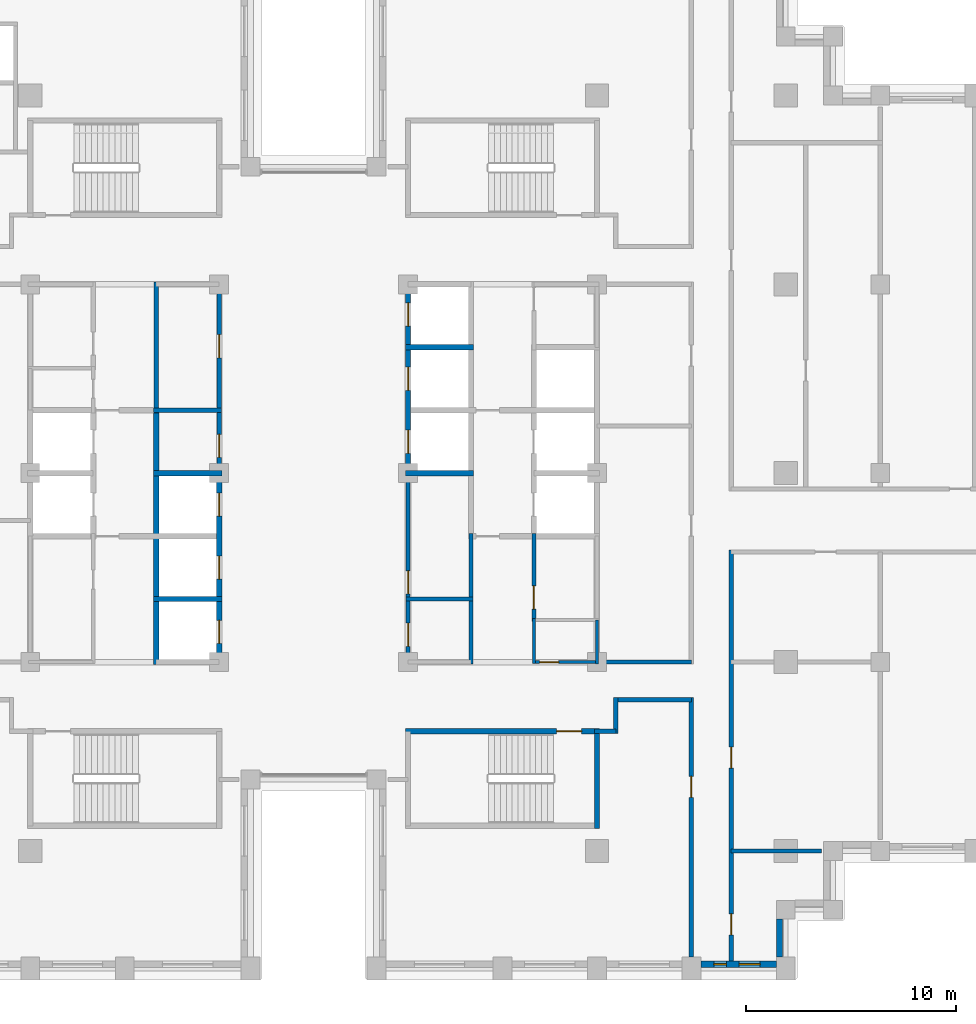
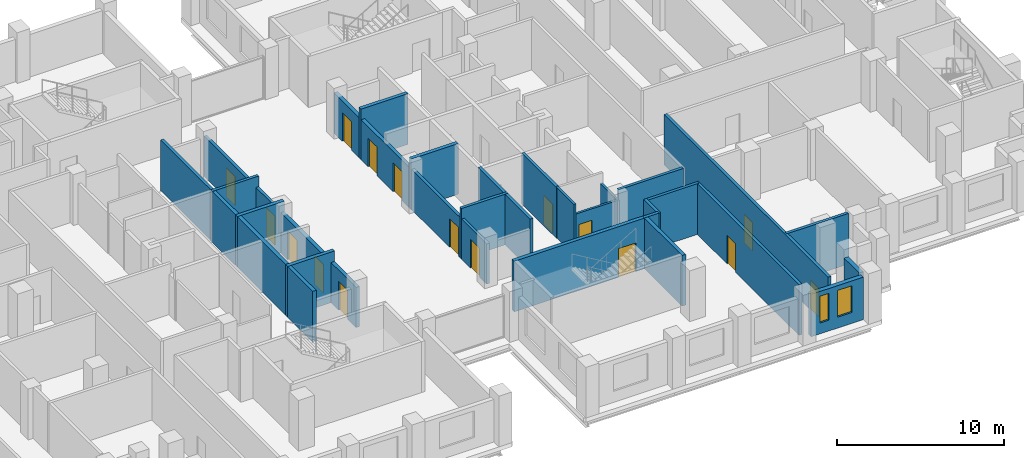
# One storey, part 8 of 16: 28 walls, 16 doors, 2 windows, 18 openings.
"""IFC4 building model written with IfcOpenShell, lengths in metres."""

from ifc_helpers import new_model, si_unit, direction, frame, frame_2d, origin, place, context, subcontext, project, spatial, rectangle, extrude, material, layer, layer_set, type_object, element, fill, save


model = new_model("IFC4")

# Units and contexts
model_context = context("Model", 3, precision=1e-05, world=origin(), true_north=direction((0.0, 1.0)))
body_context = subcontext(model_context, "Body", "Model", "MODEL_VIEW")
ifc_project = project(units=[si_unit("LENGTHUNIT", "METRE"), si_unit("AREAUNIT", "SQUARE_METRE"), si_unit("VOLUMEUNIT", "CUBIC_METRE"), si_unit("PLANEANGLEUNIT", "RADIAN"), si_unit("MASSUNIT", "GRAM", prefix="KILO")], contexts=[model_context])

# Site, building, storey
site_placement = place(None, origin())
site = spatial("IfcSite", under=ifc_project, at=site_placement, CompositionType="ELEMENT")
building_placement = place(site_placement, origin())
building = spatial("IfcBuilding", under=site, at=building_placement, Name="Corbelhall Arena Tower", CompositionType="ELEMENT")
storey_placement = place(building_placement, frame((0.0, 0.0, 154.0)))
storey = spatial("IfcBuildingStorey", under=building, at=storey_placement, Name="L30", CompositionType="ELEMENT", Elevation=154.0)

# Wall, openings, windows
ifc_material_1 = material(Name="Precast concrete C40/50 with granite facing", Category="masonry")
ifc_layer_1 = layer(ifc_material_1, 0.300048828125)
ifc_layer_set_1 = layer_set([ifc_layer_1], Name="EV-IW1 Infill panel 300")
wall_type_1 = type_object("IfcWallType", Name="EV-IW1 Infill panel 300", PredefinedType="SOLIDWALL", material=ifc_layer_set_1)
wall_1_placement = place(storey_placement, frame((18.449951171875, -23.39990234375, 0.0), z_axis=(0.0, 0.0, 1.0), x_axis=(1.0, 0.0, 0.0)))
wall_1 = element("IfcWall", 1, at=wall_1_placement, inside=storey, type_object=wall_type_1, Name="Infill panel IW1", PredefinedType="SOLIDWALL", context=body_context, shape_type="SweptSolid", body=[
    extrude(rectangle(XDim=3.60009765625, YDim=0.300048828125, at=frame_2d((1.800048828125, 0.0))), origin(), (0.0, 0.0, 1.0), 3.10009765625),
])
opening_1_placement = place(wall_1_placement, frame((0.625, 0.0, 0.800048828125)))
opening_1 = element("IfcOpeningElement", 2, at=opening_1_placement, cuts=wall_1, Name="Opening WN5", PredefinedType="OPENING", context=body_context, shape_type="SweptSolid", body=[
    extrude(rectangle(XDim=0.60009765625, YDim=1.949951171875, at=frame_2d((0.300048828125, 0.97509765625))), frame((0.0, 0.14990234375, 0.0), z_axis=(0.0, -1.0, 0.0), x_axis=(1.0, 0.0, 0.0)), (0.0, 0.0, 1.0), 0.300048828125),
])
opening_2_placement = place(wall_1_placement, frame((1.824951171875, 0.0, 0.800048828125)))
opening_2 = element("IfcOpeningElement", 3, at=opening_2_placement, cuts=wall_1, Name="Opening WN6", PredefinedType="OPENING", context=body_context, shape_type="SweptSolid", body=[
    extrude(rectangle(XDim=1.0, YDim=1.949951171875, at=frame_2d((0.5, 0.97509765625))), frame((0.0, 0.14990234375, 0.0), z_axis=(0.0, -1.0, 0.0), x_axis=(1.0, 0.0, 0.0)), (0.0, 0.0, 1.0), 0.300048828125),
])
ifc_material_2 = material(Name="Aluminium black anodised", Category="aluminium")
window_type_1 = type_object("IfcWindowType", Name="EV-WN5 Office window 600", PartitioningType="SINGLE_PANEL", PredefinedType="WINDOW", material=ifc_material_2)
window_1_placement = place(opening_1_placement, origin())
window_1 = element("IfcWindow", 4, at=window_1_placement, inside=storey, type_object=window_type_1, Name="Window WN5", OverallHeight=1.949951171875, OverallWidth=0.60009765625, PartitioningType="SINGLE_PANEL", PredefinedType="WINDOW", context=body_context, shape_type="SweptSolid", body=[
    extrude(rectangle(XDim=0.60009765625, YDim=1.949951171875, at=frame_2d((0.300048828125, 0.97509765625))), frame((0.0, 0.030029296875, 0.0), z_axis=(0.0, -1.0, 0.0), x_axis=(1.0, 0.0, 0.0)), (0.0, 0.0, 1.0), 0.06005859375),
])
fill(opening_1, window_1)
window_type_2 = type_object("IfcWindowType", Name="EV-WN6 Office window 1000", PartitioningType="SINGLE_PANEL", PredefinedType="WINDOW", material=ifc_material_2)
window_2_placement = place(opening_2_placement, origin())
window_2 = element("IfcWindow", 5, at=window_2_placement, inside=storey, type_object=window_type_2, Name="Window WN6", OverallHeight=1.949951171875, OverallWidth=1.0, PartitioningType="SINGLE_PANEL", PredefinedType="WINDOW", context=body_context, shape_type="SweptSolid", body=[
    extrude(rectangle(XDim=1.0, YDim=1.949951171875, at=frame_2d((0.5, 0.97509765625))), frame((0.0, 0.030029296875, 0.0), z_axis=(0.0, -1.0, 0.0), x_axis=(1.0, 0.0, 0.0)), (0.0, 0.0, 1.0), 0.06005859375),
])
fill(opening_2, window_2)

# Walls
wall_2_placement = place(storey_placement, frame((22.199951171875, -23.050048828125, 0.0), z_axis=(0.0, 0.0, 1.0), x_axis=(0.0, 1.0, 0.0)))
element("IfcWall", 6, at=wall_2_placement, inside=storey, type_object=wall_type_1, Name="Infill panel IW1", PredefinedType="SOLIDWALL", context=body_context, shape_type="SweptSolid", body=[
    extrude(rectangle(XDim=1.800048828125, YDim=0.300048828125, at=frame_2d((0.89990234375, 0.0))), origin(), (0.0, 0.0, 1.0), 3.10009765625),
])
ifc_material_3 = material(Name="Gypsum board on steel stud, acoustic", Category="steel")
ifc_layer_2 = layer(ifc_material_3, 0.199951171875)
ifc_layer_set_2 = layer_set([ifc_layer_2], Name="IN-W-DM200")
wall_type_2 = type_object("IfcWallType", Name="IN-W-DM200", PredefinedType="PARTITIONING", material=ifc_layer_set_2)
wall_3_placement = place(storey_placement, frame((13.5, -9.0, 0.0), z_axis=(0.0, 0.0, 1.0), x_axis=(1.0, 0.0, 0.0)))
element("IfcWall", 7, at=wall_3_placement, inside=storey, type_object=wall_type_2, Name="Partition 038", PredefinedType="PARTITIONING", context=body_context, shape_type="SweptSolid", body=[
    extrude(rectangle(XDim=4.5, YDim=0.199951171875, at=frame_2d((2.25, 0.0))), origin(), (0.0, 0.0, 1.0), 3.699951171875),
])
wall_4_placement = place(storey_placement, frame((14.39990234375, -12.300048828125, 0.0), z_axis=(0.0, 0.0, 1.0), x_axis=(-1.0, 0.0, 0.0)))
element("IfcWall", 8, at=wall_4_placement, inside=storey, type_object=wall_type_2, Name="Partition 040", PredefinedType="PARTITIONING", context=body_context, shape_type="SweptSolid", body=[
    extrude(rectangle(XDim=1.02490234375, YDim=0.199951171875, at=frame_2d((0.512451171875, 0.0))), origin(), (0.0, 0.0, 1.0), 3.699951171875),
])
wall_5_placement = place(storey_placement, frame((14.39990234375, -10.699951171875, 0.0), z_axis=(0.0, 0.0, 1.0), x_axis=(0.0, -1.0, 0.0)))
element("IfcWall", 9, at=wall_5_placement, inside=storey, type_object=wall_type_2, Name="Partition 041", PredefinedType="PARTITIONING", context=body_context, shape_type="SweptSolid", body=[
    extrude(rectangle(XDim=1.699951171875, YDim=0.199951171875, at=frame_2d((0.85009765625, 0.0))), origin(), (0.0, 0.0, 1.0), 3.699951171875),
])

# Wall, opening, door
wall_6_placement = place(storey_placement, frame((18.0, -23.050048828125, 0.0), z_axis=(0.0, 0.0, 1.0), x_axis=(0.0, 1.0, 0.0)))
wall_6 = element("IfcWall", 10, at=wall_6_placement, inside=storey, type_object=wall_type_2, Name="Partition 045", PredefinedType="PARTITIONING", context=body_context, shape_type="SweptSolid", body=[
    extrude(rectangle(XDim=12.35009765625, YDim=0.199951171875, at=frame_2d((6.175048828125, 0.0))), origin(), (0.0, 0.0, 1.0), 3.699951171875),
])
opening_3_placement = place(wall_6_placement, frame((7.60009765625, 0.0, 0.0)))
opening_3 = element("IfcOpeningElement", 11, at=opening_3_placement, cuts=wall_6, Name="Opening 08030", PredefinedType="OPENING", context=body_context, shape_type="SweptSolid", body=[
    extrude(rectangle(XDim=1.0, YDim=2.10009765625, at=frame_2d((0.5, 1.050048828125))), frame((0.0, 0.10009765625, 0.0), z_axis=(0.0, -1.0, 0.0), x_axis=(1.0, 0.0, 0.0)), (0.0, 0.0, 1.0), 0.199951171875),
])
ifc_material_4 = material(Name="Steel door set", Category="steel")
door_type_1 = type_object("IfcDoorType", Name="IN-D-SW100", OperationType="NOTDEFINED", PredefinedType="DOOR", material=ifc_material_4)
door_1_placement = place(opening_3_placement, origin())
door_1 = element("IfcDoor", 12, at=door_1_placement, inside=storey, type_object=door_type_1, Name="Door 030", OperationType="SINGLE_SWING_LEFT", OverallHeight=2.10009765625, OverallWidth=1.0, PredefinedType="DOOR", context=body_context, shape_type="SweptSolid", body=[
    extrude(rectangle(XDim=1.0, YDim=2.10009765625, at=frame_2d((0.5, 1.050048828125))), frame((0.0, 0.02490234375, 0.0), z_axis=(0.0, -1.0, 0.0), x_axis=(1.0, 0.0, 0.0)), (0.0, 0.0, 1.0), 0.050048828125),
])
fill(opening_3, door_1)

# Walls
wall_7_placement = place(storey_placement, frame((18.0, -10.800048828125, 0.0), z_axis=(0.0, 0.0, 1.0), x_axis=(-1.0, 0.0, 0.0)))
element("IfcWall", 13, at=wall_7_placement, inside=storey, type_object=wall_type_2, Name="Partition 046", PredefinedType="PARTITIONING", context=body_context, shape_type="SweptSolid", body=[
    extrude(rectangle(XDim=3.60009765625, YDim=0.199951171875, at=frame_2d((1.800048828125, 0.0))), origin(), (0.0, 0.0, 1.0), 3.699951171875),
])
wall_8_placement = place(storey_placement, frame((19.89990234375, -18.0, 0.0), z_axis=(0.0, 0.0, 1.0), x_axis=(1.0, 0.0, 0.0)))
element("IfcWall", 14, at=wall_8_placement, inside=storey, type_object=wall_type_2, Name="Partition 049", PredefinedType="PARTITIONING", context=body_context, shape_type="SweptSolid", body=[
    extrude(rectangle(XDim=4.300048828125, YDim=0.199951171875, at=frame_2d((2.14990234375, 0.0))), origin(), (0.0, 0.0, 1.0), 3.699951171875),
])

# Wall, openings, doors
wall_9_placement = place(storey_placement, frame((19.89990234375, -3.64990234375, 0.0), z_axis=(0.0, 0.0, 1.0), x_axis=(0.0, -1.0, 0.0)))
wall_9 = element("IfcWall", 15, at=wall_9_placement, inside=storey, type_object=wall_type_2, Name="Partition 050", PredefinedType="PARTITIONING", context=body_context, shape_type="SweptSolid", body=[
    extrude(rectangle(XDim=19.60009765625, YDim=0.199951171875, at=frame_2d((9.800048828125, 0.0))), origin(), (0.0, 0.0, 1.0), 3.699951171875),
])
opening_4_placement = place(wall_9_placement, frame((17.35009765625, 0.0, 0.0)))
opening_4 = element("IfcOpeningElement", 16, at=opening_4_placement, cuts=wall_9, Name="Opening 08039", PredefinedType="OPENING", context=body_context, shape_type="SweptSolid", body=[
    extrude(rectangle(XDim=1.0, YDim=2.10009765625, at=frame_2d((0.5, 1.050048828125))), frame((0.0, 0.10009765625, 0.0), z_axis=(0.0, -1.0, 0.0), x_axis=(1.0, 0.0, 0.0)), (0.0, 0.0, 1.0), 0.199951171875),
])
opening_5_placement = place(wall_9_placement, frame((9.39990234375, 0.0, 0.0)))
opening_5 = element("IfcOpeningElement", 17, at=opening_5_placement, cuts=wall_9, Name="Opening 08040", PredefinedType="OPENING", context=body_context, shape_type="SweptSolid", body=[
    extrude(rectangle(XDim=1.0, YDim=2.10009765625, at=frame_2d((0.5, 1.050048828125))), frame((0.0, 0.10009765625, 0.0), z_axis=(0.0, -1.0, 0.0), x_axis=(1.0, 0.0, 0.0)), (0.0, 0.0, 1.0), 0.199951171875),
])
door_2_placement = place(opening_4_placement, origin())
door_2 = element("IfcDoor", 18, at=door_2_placement, inside=storey, type_object=door_type_1, Name="Door 039", OperationType="SINGLE_SWING_RIGHT", OverallHeight=2.10009765625, OverallWidth=1.0, PredefinedType="DOOR", context=body_context, shape_type="SweptSolid", body=[
    extrude(rectangle(XDim=1.0, YDim=2.10009765625, at=frame_2d((0.5, 1.050048828125))), frame((0.0, 0.02490234375, 0.0), z_axis=(0.0, -1.0, 0.0), x_axis=(1.0, 0.0, 0.0)), (0.0, 0.0, 1.0), 0.050048828125),
])
fill(opening_4, door_2)
door_3_placement = place(opening_5_placement, origin())
door_3 = element("IfcDoor", 19, at=door_3_placement, inside=storey, type_object=door_type_1, Name="Door 040", OperationType="SINGLE_SWING_LEFT", OverallHeight=2.10009765625, OverallWidth=1.0, PredefinedType="DOOR", context=body_context, shape_type="SweptSolid", body=[
    extrude(rectangle(XDim=1.0, YDim=2.10009765625, at=frame_2d((0.5, 1.050048828125))), frame((0.0, 0.02490234375, 0.0), z_axis=(0.0, -1.0, 0.0), x_axis=(1.0, 0.0, 0.0)), (0.0, 0.0, 1.0), 0.050048828125),
])
fill(opening_5, door_3)

# Walls
ifc_material_5 = material(Name="Concrete block wall", Category="concrete")
ifc_layer_3 = layer(ifc_material_5, 0.199951171875)
ifc_layer_set_3 = layer_set([ifc_layer_3], Name="IN-W-RS200")
wall_type_3 = type_object("IfcWallType", Name="IN-W-RS200", PredefinedType="SOLIDWALL", material=ifc_layer_set_3)
wall_10_placement = place(storey_placement, frame((-7.625, 3.0, 0.0), z_axis=(0.0, 0.0, 1.0), x_axis=(1.0, 0.0, 0.0)))
element("IfcWall", 20, at=wall_10_placement, inside=storey, type_object=wall_type_3, Name="Partition 067", PredefinedType="SOLIDWALL", context=body_context, shape_type="SweptSolid", body=[
    extrude(rectangle(XDim=3.22509765625, YDim=0.199951171875, at=frame_2d((1.612548828125, 0.0))), origin(), (0.0, 0.0, 1.0), 3.699951171875),
])
wall_11_placement = place(storey_placement, frame((-7.5, 2.875, 0.0), z_axis=(0.0, 0.0, 1.0), x_axis=(0.0, 1.0, 0.0)))
element("IfcWall", 21, at=wall_11_placement, inside=storey, type_object=wall_type_3, Name="Partition 068", PredefinedType="SOLIDWALL", context=body_context, shape_type="SweptSolid", body=[
    extrude(rectangle(XDim=6.22509765625, YDim=0.199951171875, at=frame_2d((3.112548828125, 0.0))), origin(), (0.0, 0.0, 1.0), 3.699951171875),
])
wall_12_placement = place(storey_placement, frame((4.39990234375, -6.0, 0.0), z_axis=(0.0, 0.0, 1.0), x_axis=(1.0, 0.0, 0.0)))
element("IfcWall", 22, at=wall_12_placement, inside=storey, type_object=wall_type_3, Name="Partition 071", PredefinedType="SOLIDWALL", context=body_context, shape_type="SweptSolid", body=[
    extrude(rectangle(XDim=3.2001953125, YDim=0.199951171875, at=frame_2d((1.60009765625, 0.0))), origin(), (0.0, 0.0, 1.0), 3.699951171875),
])
wall_13_placement = place(storey_placement, frame((7.5, -2.875, 0.0), z_axis=(0.0, 0.0, 1.0), x_axis=(0.0, -1.0, 0.0)))
element("IfcWall", 23, at=wall_13_placement, inside=storey, type_object=wall_type_3, Name="Partition 074", PredefinedType="SOLIDWALL", context=body_context, shape_type="SweptSolid", body=[
    extrude(rectangle(XDim=6.22509765625, YDim=0.199951171875, at=frame_2d((3.112548828125, 0.0))), origin(), (0.0, 0.0, 1.0), 3.699951171875),
])

# Wall, opening, door
wall_14_placement = place(storey_placement, frame((10.5, -2.875, 0.0), z_axis=(0.0, 0.0, 1.0), x_axis=(0.0, -1.0, 0.0)))
wall_14 = element("IfcWall", 24, at=wall_14_placement, inside=storey, type_object=wall_type_3, Name="Partition 075", PredefinedType="SOLIDWALL", context=body_context, shape_type="SweptSolid", body=[
    extrude(rectangle(XDim=4.199951171875, YDim=0.199951171875, at=frame_2d((2.10009765625, 0.0))), origin(), (0.0, 0.0, 1.0), 3.699951171875),
])
opening_6_placement = place(wall_14_placement, frame((2.5, 0.0, 0.0)))
opening_6 = element("IfcOpeningElement", 25, at=opening_6_placement, cuts=wall_14, Name="Opening 08013", PredefinedType="OPENING", context=body_context, shape_type="SweptSolid", body=[
    extrude(rectangle(XDim=1.10009765625, YDim=2.10009765625, at=frame_2d((0.550048828125, 1.050048828125))), frame((0.0, 0.10009765625, 0.0), z_axis=(0.0, -1.0, 0.0), x_axis=(1.0, 0.0, 0.0)), (0.0, 0.0, 1.0), 0.199951171875),
])
door_type_2 = type_object("IfcDoorType", Name="IN-D-FD110", OperationType="NOTDEFINED", PredefinedType="DOOR", material=ifc_material_4)
door_4_placement = place(opening_6_placement, origin())
door_4 = element("IfcDoor", 26, at=door_4_placement, inside=storey, type_object=door_type_2, Name="Door 013", OperationType="SINGLE_SWING_RIGHT", OverallHeight=2.10009765625, OverallWidth=1.10009765625, PredefinedType="DOOR", context=body_context, shape_type="SweptSolid", body=[
    extrude(rectangle(XDim=1.10009765625, YDim=2.10009765625, at=frame_2d((0.550048828125, 1.050048828125))), frame((0.0, 0.02490234375, 0.0), z_axis=(0.0, -1.0, 0.0), x_axis=(1.0, 0.0, 0.0)), (0.0, 0.0, 1.0), 0.050048828125),
])
fill(opening_6, door_4)

# Wall, openings, doors
ifc_layer_4 = layer(ifc_material_5, 0.199951171875)
ifc_layer_set_4 = layer_set([ifc_layer_4], Name="IN-W-RS200 under beam 762 mm")
wall_type_4 = type_object("IfcWallType", Name="IN-W-RS200 under beam 762 mm", PredefinedType="SOLIDWALL", material=ifc_layer_set_4)
wall_15_placement = place(storey_placement, frame((-4.5, 9.10009765625, 0.0), z_axis=(0.0, 0.0, 1.0), x_axis=(0.0, -1.0, 0.0)))
wall_15 = element("IfcWall", 27, at=wall_15_placement, inside=storey, type_object=wall_type_4, Name="Partition 070", PredefinedType="SOLIDWALL", context=body_context, shape_type="SweptSolid", body=[
    extrude(rectangle(XDim=9.10009765625, YDim=0.199951171875, at=frame_2d((4.550048828125, 0.0))), origin(), (0.0, 0.0, 1.0), 2.93798828125),
])
opening_7_placement = place(wall_15_placement, frame((7.25, 0.0, 0.0)))
opening_7 = element("IfcOpeningElement", 28, at=opening_7_placement, cuts=wall_15, Name="Opening 08001", PredefinedType="OPENING", context=body_context, shape_type="SweptSolid", body=[
    extrude(rectangle(XDim=1.10009765625, YDim=2.10009765625, at=frame_2d((0.550048828125, 1.050048828125))), frame((0.0, 0.10009765625, 0.0), z_axis=(0.0, -1.0, 0.0), x_axis=(1.0, 0.0, 0.0)), (0.0, 0.0, 1.0), 0.199951171875),
])
opening_8_placement = place(wall_15_placement, frame((2.5, 0.0, 0.0)))
opening_8 = element("IfcOpeningElement", 29, at=opening_8_placement, cuts=wall_15, Name="Opening 08002", PredefinedType="OPENING", context=body_context, shape_type="SweptSolid", body=[
    extrude(rectangle(XDim=1.10009765625, YDim=2.10009765625, at=frame_2d((0.550048828125, 1.050048828125))), frame((0.0, 0.10009765625, 0.0), z_axis=(0.0, -1.0, 0.0), x_axis=(1.0, 0.0, 0.0)), (0.0, 0.0, 1.0), 0.199951171875),
])
door_5_placement = place(opening_7_placement, origin())
door_5 = element("IfcDoor", 30, at=door_5_placement, inside=storey, type_object=door_type_2, Name="Door 001", OperationType="SINGLE_SWING_RIGHT", OverallHeight=2.10009765625, OverallWidth=1.10009765625, PredefinedType="DOOR", context=body_context, shape_type="SweptSolid", body=[
    extrude(rectangle(XDim=1.10009765625, YDim=2.10009765625, at=frame_2d((0.550048828125, 1.050048828125))), frame((0.0, 0.02490234375, 0.0), z_axis=(0.0, -1.0, 0.0), x_axis=(1.0, 0.0, 0.0)), (0.0, 0.0, 1.0), 0.050048828125),
])
fill(opening_7, door_5)
door_6_placement = place(opening_8_placement, origin())
door_6 = element("IfcDoor", 31, at=door_6_placement, inside=storey, type_object=door_type_2, Name="Door 002", OperationType="SINGLE_SWING_LEFT", OverallHeight=2.10009765625, OverallWidth=1.10009765625, PredefinedType="DOOR", context=body_context, shape_type="SweptSolid", body=[
    extrude(rectangle(XDim=1.10009765625, YDim=2.10009765625, at=frame_2d((0.550048828125, 1.050048828125))), frame((0.0, 0.02490234375, 0.0), z_axis=(0.0, -1.0, 0.0), x_axis=(1.0, 0.0, 0.0)), (0.0, 0.0, 1.0), 0.050048828125),
])
fill(opening_8, door_6)

wall_16_placement = place(storey_placement, frame((4.5, -9.10009765625, 0.0), z_axis=(0.0, 0.0, 1.0), x_axis=(0.0, 1.0, 0.0)))
wall_16 = element("IfcWall", 32, at=wall_16_placement, inside=storey, type_object=wall_type_4, Name="Partition 072", PredefinedType="SOLIDWALL", context=body_context, shape_type="SweptSolid", body=[
    extrude(rectangle(XDim=9.10009765625, YDim=0.199951171875, at=frame_2d((4.550048828125, 0.0))), origin(), (0.0, 0.0, 1.0), 2.93798828125),
])
opening_9_placement = place(wall_16_placement, frame((0.85009765625, 0.0, 0.0)))
opening_9 = element("IfcOpeningElement", 33, at=opening_9_placement, cuts=wall_16, Name="Opening 08008", PredefinedType="OPENING", context=body_context, shape_type="SweptSolid", body=[
    extrude(rectangle(XDim=1.10009765625, YDim=2.10009765625, at=frame_2d((0.550048828125, 1.050048828125))), frame((0.0, 0.10009765625, 0.0), z_axis=(0.0, -1.0, 0.0), x_axis=(1.0, 0.0, 0.0)), (0.0, 0.0, 1.0), 0.199951171875),
])
opening_10_placement = place(wall_16_placement, frame((3.35009765625, 0.0, 0.0)))
opening_10 = element("IfcOpeningElement", 34, at=opening_10_placement, cuts=wall_16, Name="Opening 08009", PredefinedType="OPENING", context=body_context, shape_type="SweptSolid", body=[
    extrude(rectangle(XDim=1.10009765625, YDim=2.10009765625, at=frame_2d((0.550048828125, 1.050048828125))), frame((0.0, 0.10009765625, 0.0), z_axis=(0.0, -1.0, 0.0), x_axis=(1.0, 0.0, 0.0)), (0.0, 0.0, 1.0), 0.199951171875),
])
door_7_placement = place(opening_9_placement, origin())
door_7 = element("IfcDoor", 35, at=door_7_placement, inside=storey, type_object=door_type_2, Name="Door 008", OperationType="SINGLE_SWING_LEFT", OverallHeight=2.10009765625, OverallWidth=1.10009765625, PredefinedType="DOOR", context=body_context, shape_type="SweptSolid", body=[
    extrude(rectangle(XDim=1.10009765625, YDim=2.10009765625, at=frame_2d((0.550048828125, 1.050048828125))), frame((0.0, 0.02490234375, 0.0), z_axis=(0.0, -1.0, 0.0), x_axis=(1.0, 0.0, 0.0)), (0.0, 0.0, 1.0), 0.050048828125),
])
fill(opening_9, door_7)
door_8_placement = place(opening_10_placement, origin())
door_8 = element("IfcDoor", 36, at=door_8_placement, inside=storey, type_object=door_type_2, Name="Door 009", OperationType="SINGLE_SWING_RIGHT", OverallHeight=2.10009765625, OverallWidth=1.10009765625, PredefinedType="DOOR", context=body_context, shape_type="SweptSolid", body=[
    extrude(rectangle(XDim=1.10009765625, YDim=2.10009765625, at=frame_2d((0.550048828125, 1.050048828125))), frame((0.0, 0.02490234375, 0.0), z_axis=(0.0, -1.0, 0.0), x_axis=(1.0, 0.0, 0.0)), (0.0, 0.0, 1.0), 0.050048828125),
])
fill(opening_10, door_8)

# Walls
ifc_material_6 = material(Name="Concrete C40/50", Category="concrete")
ifc_layer_5 = layer(ifc_material_6, 0.25)
ifc_layer_set_5 = layer_set([ifc_layer_5], Name="IN-W-SH250")
wall_type_5 = type_object("IfcWallType", Name="IN-W-SH250", PredefinedType="SOLIDWALL", material=ifc_layer_set_5)
for number, where, z_axis, x_axis, name in (
    (37, (-7.625, -6.0, 0.0), (0.0, 0.0, 1.0), (1.0, 0.0, 0.0), "Shaft wall 085"),
    (38, (-7.625, 0.0, 0.0), (0.0, 0.0, 1.0), (1.0, 0.0, 0.0), "Shaft wall 086"),
):
    element("IfcWall", number, at=place(storey_placement, frame(where, z_axis=z_axis, x_axis=x_axis)), inside=storey, type_object=wall_type_5, Name=name, PredefinedType="SOLIDWALL", context=body_context, shape_type="SweptSolid", body=[
        extrude(rectangle(XDim=3.25, YDim=0.25, at=frame_2d((1.625, 0.0))), origin(), (0.0, 0.0, 1.0), 3.699951171875),
    ])
wall_17_placement = place(storey_placement, frame((-7.5, -9.125, 0.0), z_axis=(0.0, 0.0, 1.0), x_axis=(0.0, 1.0, 0.0)))
element("IfcWall", 39, at=wall_17_placement, inside=storey, type_object=wall_type_5, Name="Shaft wall 087", PredefinedType="SOLIDWALL", context=body_context, shape_type="SweptSolid", body=[
    extrude(rectangle(XDim=12.25, YDim=0.25, at=frame_2d((6.125, 0.0))), origin(), (0.0, 0.0, 1.0), 3.699951171875),
])
for number, where, z_axis, x_axis, name in (
    (40, (4.375, 0.0, 0.0), (0.0, 0.0, 1.0), (1.0, 0.0, 0.0), "Shaft wall 090"),
    (41, (4.375, 6.0, 0.0), (0.0, 0.0, 1.0), (1.0, 0.0, 0.0), "Shaft wall 092"),
):
    element("IfcWall", number, at=place(storey_placement, frame(where, z_axis=z_axis, x_axis=x_axis)), inside=storey, type_object=wall_type_5, Name=name, PredefinedType="SOLIDWALL", context=body_context, shape_type="SweptSolid", body=[
        extrude(rectangle(XDim=3.25, YDim=0.25, at=frame_2d((1.625, 0.0))), origin(), (0.0, 0.0, 1.0), 3.699951171875),
    ])

# Wall, openings, doors
ifc_layer_6 = layer(ifc_material_6, 0.25)
ifc_layer_set_6 = layer_set([ifc_layer_6], Name="IN-W-SH250 under beam 762 mm")
wall_type_6 = type_object("IfcWallType", Name="IN-W-SH250 under beam 762 mm", PredefinedType="SOLIDWALL", material=ifc_layer_set_6)
wall_18_placement = place(storey_placement, frame((-4.5, 0.0, 0.0), z_axis=(0.0, 0.0, 1.0), x_axis=(0.0, -1.0, 0.0)))
wall_18 = element("IfcWall", 42, at=wall_18_placement, inside=storey, type_object=wall_type_6, Name="Shaft wall 089", PredefinedType="SOLIDWALL", context=body_context, shape_type="SweptSolid", body=[
    extrude(rectangle(XDim=9.125, YDim=0.25, at=frame_2d((4.5625, 0.0))), origin(), (0.0, 0.0, 1.0), 2.93798828125),
])
opening_11_placement = place(wall_18_placement, frame((7.012451171875, 0.0, 0.0)))
opening_11 = element("IfcOpeningElement", 43, at=opening_11_placement, cuts=wall_18, Name="Opening LD", PredefinedType="OPENING", context=body_context, shape_type="SweptSolid", body=[
    extrude(rectangle(XDim=1.10009765625, YDim=2.10009765625, at=frame_2d((0.550048828125, 1.050048828125))), frame((0.0, 0.125, 0.0), z_axis=(0.0, -1.0, 0.0), x_axis=(1.0, 0.0, 0.0)), (0.0, 0.0, 1.0), 0.25),
])
opening_12_placement = place(wall_18_placement, frame((3.949951171875, 0.0, 0.0)))
opening_12 = element("IfcOpeningElement", 44, at=opening_12_placement, cuts=wall_18, Name="Opening LD", PredefinedType="OPENING", context=body_context, shape_type="SweptSolid", body=[
    extrude(rectangle(XDim=1.10009765625, YDim=2.10009765625, at=frame_2d((0.550048828125, 1.050048828125))), frame((0.0, 0.125, 0.0), z_axis=(0.0, -1.0, 0.0), x_axis=(1.0, 0.0, 0.0)), (0.0, 0.0, 1.0), 0.25),
])
opening_13_placement = place(wall_18_placement, frame((0.949951171875, 0.0, 0.0)))
opening_13 = element("IfcOpeningElement", 45, at=opening_13_placement, cuts=wall_18, Name="Opening LD", PredefinedType="OPENING", context=body_context, shape_type="SweptSolid", body=[
    extrude(rectangle(XDim=1.10009765625, YDim=2.10009765625, at=frame_2d((0.550048828125, 1.050048828125))), frame((0.0, 0.125, 0.0), z_axis=(0.0, -1.0, 0.0), x_axis=(1.0, 0.0, 0.0)), (0.0, 0.0, 1.0), 0.25),
])
door_type_3 = type_object("IfcDoorType", Name="IN-D-LD110", OperationType="NOTDEFINED", PredefinedType="DOOR", material=ifc_material_4)
door_9_placement = place(opening_11_placement, origin())
door_9 = element("IfcDoor", 46, at=door_9_placement, inside=storey, type_object=door_type_3, Name="Landing door W1", OperationType="SLIDING_TO_LEFT", OverallHeight=2.10009765625, OverallWidth=1.10009765625, PredefinedType="DOOR", context=body_context, shape_type="SweptSolid", body=[
    extrude(rectangle(XDim=1.10009765625, YDim=2.10009765625, at=frame_2d((0.550048828125, 1.050048828125))), frame((0.0, 0.02490234375, 0.0), z_axis=(0.0, -1.0, 0.0), x_axis=(1.0, 0.0, 0.0)), (0.0, 0.0, 1.0), 0.050048828125),
])
fill(opening_11, door_9)
door_10_placement = place(opening_12_placement, origin())
door_10 = element("IfcDoor", 47, at=door_10_placement, inside=storey, type_object=door_type_3, Name="Landing door W2", OperationType="SLIDING_TO_LEFT", OverallHeight=2.10009765625, OverallWidth=1.10009765625, PredefinedType="DOOR", context=body_context, shape_type="SweptSolid", body=[
    extrude(rectangle(XDim=1.10009765625, YDim=2.10009765625, at=frame_2d((0.550048828125, 1.050048828125))), frame((0.0, 0.02490234375, 0.0), z_axis=(0.0, -1.0, 0.0), x_axis=(1.0, 0.0, 0.0)), (0.0, 0.0, 1.0), 0.050048828125),
])
fill(opening_12, door_10)
door_11_placement = place(opening_13_placement, origin())
door_11 = element("IfcDoor", 48, at=door_11_placement, inside=storey, type_object=door_type_3, Name="Landing door W3", OperationType="SLIDING_TO_LEFT", OverallHeight=2.10009765625, OverallWidth=1.10009765625, PredefinedType="DOOR", context=body_context, shape_type="SweptSolid", body=[
    extrude(rectangle(XDim=1.10009765625, YDim=2.10009765625, at=frame_2d((0.550048828125, 1.050048828125))), frame((0.0, 0.02490234375, 0.0), z_axis=(0.0, -1.0, 0.0), x_axis=(1.0, 0.0, 0.0)), (0.0, 0.0, 1.0), 0.050048828125),
])
fill(opening_13, door_11)

wall_19_placement = place(storey_placement, frame((4.5, 0.0, 0.0), z_axis=(0.0, 0.0, 1.0), x_axis=(0.0, 1.0, 0.0)))
wall_19 = element("IfcWall", 49, at=wall_19_placement, inside=storey, type_object=wall_type_6, Name="Shaft wall 093", PredefinedType="SOLIDWALL", context=body_context, shape_type="SweptSolid", body=[
    extrude(rectangle(XDim=9.125, YDim=0.25, at=frame_2d((4.5625, 0.0))), origin(), (0.0, 0.0, 1.0), 2.93798828125),
])
opening_14_placement = place(wall_19_placement, frame((0.949951171875, 0.0, 0.0)))
opening_14 = element("IfcOpeningElement", 50, at=opening_14_placement, cuts=wall_19, Name="Opening LD", PredefinedType="OPENING", context=body_context, shape_type="SweptSolid", body=[
    extrude(rectangle(XDim=1.10009765625, YDim=2.10009765625, at=frame_2d((0.550048828125, 1.050048828125))), frame((0.0, 0.125, 0.0), z_axis=(0.0, -1.0, 0.0), x_axis=(1.0, 0.0, 0.0)), (0.0, 0.0, 1.0), 0.25),
])
opening_15_placement = place(wall_19_placement, frame((3.949951171875, 0.0, 0.0)))
opening_15 = element("IfcOpeningElement", 51, at=opening_15_placement, cuts=wall_19, Name="Opening LD", PredefinedType="OPENING", context=body_context, shape_type="SweptSolid", body=[
    extrude(rectangle(XDim=1.10009765625, YDim=2.10009765625, at=frame_2d((0.550048828125, 1.050048828125))), frame((0.0, 0.125, 0.0), z_axis=(0.0, -1.0, 0.0), x_axis=(1.0, 0.0, 0.0)), (0.0, 0.0, 1.0), 0.25),
])
opening_16_placement = place(wall_19_placement, frame((7.012451171875, 0.0, 0.0)))
opening_16 = element("IfcOpeningElement", 52, at=opening_16_placement, cuts=wall_19, Name="Opening LD", PredefinedType="OPENING", context=body_context, shape_type="SweptSolid", body=[
    extrude(rectangle(XDim=1.10009765625, YDim=2.10009765625, at=frame_2d((0.550048828125, 1.050048828125))), frame((0.0, 0.125, 0.0), z_axis=(0.0, -1.0, 0.0), x_axis=(1.0, 0.0, 0.0)), (0.0, 0.0, 1.0), 0.25),
])
door_12_placement = place(opening_14_placement, origin())
door_12 = element("IfcDoor", 53, at=door_12_placement, inside=storey, type_object=door_type_3, Name="Landing door E4", OperationType="SLIDING_TO_LEFT", OverallHeight=2.10009765625, OverallWidth=1.10009765625, PredefinedType="DOOR", context=body_context, shape_type="SweptSolid", body=[
    extrude(rectangle(XDim=1.10009765625, YDim=2.10009765625, at=frame_2d((0.550048828125, 1.050048828125))), frame((0.0, 0.02490234375, 0.0), z_axis=(0.0, -1.0, 0.0), x_axis=(1.0, 0.0, 0.0)), (0.0, 0.0, 1.0), 0.050048828125),
])
fill(opening_14, door_12)
door_13_placement = place(opening_15_placement, origin())
door_13 = element("IfcDoor", 54, at=door_13_placement, inside=storey, type_object=door_type_3, Name="Landing door E5", OperationType="SLIDING_TO_LEFT", OverallHeight=2.10009765625, OverallWidth=1.10009765625, PredefinedType="DOOR", context=body_context, shape_type="SweptSolid", body=[
    extrude(rectangle(XDim=1.10009765625, YDim=2.10009765625, at=frame_2d((0.550048828125, 1.050048828125))), frame((0.0, 0.02490234375, 0.0), z_axis=(0.0, -1.0, 0.0), x_axis=(1.0, 0.0, 0.0)), (0.0, 0.0, 1.0), 0.050048828125),
])
fill(opening_15, door_13)
door_14_placement = place(opening_16_placement, origin())
door_14 = element("IfcDoor", 55, at=door_14_placement, inside=storey, type_object=door_type_3, Name="Landing door E6", OperationType="SLIDING_TO_LEFT", OverallHeight=2.10009765625, OverallWidth=1.10009765625, PredefinedType="DOOR", context=body_context, shape_type="SweptSolid", body=[
    extrude(rectangle(XDim=1.10009765625, YDim=2.10009765625, at=frame_2d((0.550048828125, 1.050048828125))), frame((0.0, 0.02490234375, 0.0), z_axis=(0.0, -1.0, 0.0), x_axis=(1.0, 0.0, 0.0)), (0.0, 0.0, 1.0), 0.050048828125),
])
fill(opening_16, door_14)

# Wall
ifc_layer_7 = layer(ifc_material_6, 0.25)
ifc_layer_set_7 = layer_set([ifc_layer_7], Name="IN-W-ST250")
wall_type_7 = type_object("IfcWallType", Name="IN-W-ST250", PredefinedType="SOLIDWALL", material=ifc_layer_set_7)
wall_20_placement = place(storey_placement, frame((13.5, -12.300048828125, 0.0), z_axis=(0.0, 0.0, 1.0), x_axis=(0.0, -1.0, 0.0)))
element("IfcWall", 56, at=wall_20_placement, inside=storey, type_object=wall_type_7, Name="Shaft wall 120", PredefinedType="SOLIDWALL", context=body_context, shape_type="SweptSolid", body=[
    extrude(rectangle(XDim=4.625, YDim=0.25, at=frame_2d((2.3125, 0.0))), origin(), (0.0, 0.0, 1.0), 3.699951171875),
])

# Wall, opening, door
wall_21_placement = place(storey_placement, frame((13.625, -12.300048828125, 0.0), z_axis=(0.0, 0.0, 1.0), x_axis=(-1.0, 0.0, 0.0)))
wall_21 = element("IfcWall", 57, at=wall_21_placement, inside=storey, type_object=wall_type_7, Name="Shaft wall 122", PredefinedType="SOLIDWALL", context=body_context, shape_type="SweptSolid", body=[
    extrude(rectangle(XDim=9.25, YDim=0.25, at=frame_2d((4.625, 0.0))), origin(), (0.0, 0.0, 1.0), 3.699951171875),
])
opening_17_placement = place(wall_21_placement, frame((0.85009765625, 0.0, 0.0)))
opening_17 = element("IfcOpeningElement", 58, at=opening_17_placement, cuts=wall_21, Name="Opening 08018", PredefinedType="OPENING", context=body_context, shape_type="SweptSolid", body=[
    extrude(rectangle(XDim=1.199951171875, YDim=2.10009765625, at=frame_2d((0.60009765625, 1.050048828125))), frame((0.0, 0.125, 0.0), z_axis=(0.0, -1.0, 0.0), x_axis=(1.0, 0.0, 0.0)), (0.0, 0.0, 1.0), 0.25),
])
door_type_4 = type_object("IfcDoorType", Name="IN-D-ST120", OperationType="NOTDEFINED", PredefinedType="DOOR", material=ifc_material_4)
door_15_placement = place(opening_17_placement, origin())
door_15 = element("IfcDoor", 59, at=door_15_placement, inside=storey, type_object=door_type_4, Name="Door 018", OperationType="SINGLE_SWING_LEFT", OverallHeight=2.10009765625, OverallWidth=1.199951171875, PredefinedType="DOOR", context=body_context, shape_type="SweptSolid", body=[
    extrude(rectangle(XDim=1.199951171875, YDim=2.10009765625, at=frame_2d((0.60009765625, 1.050048828125))), frame((0.0, 0.02490234375, 0.0), z_axis=(0.0, -1.0, 0.0), x_axis=(1.0, 0.0, 0.0)), (0.0, 0.0, 1.0), 0.050048828125),
])
fill(opening_17, door_15)

# Walls
ifc_material_7 = material(Name="Gypsum board on steel stud, moisture resistant", Category="steel")
ifc_layer_8 = layer(ifc_material_7, 0.14990234375)
ifc_layer_set_8 = layer_set([ifc_layer_8], Name="IN-W-WC150")
wall_type_8 = type_object("IfcWallType", Name="IN-W-WC150", PredefinedType="PARTITIONING", material=ifc_layer_set_8)
wall_22_placement = place(storey_placement, frame((10.5, -6.925048828125, 0.0), z_axis=(0.0, 0.0, 1.0), x_axis=(0.0, -1.0, 0.0)))
element("IfcWall", 60, at=wall_22_placement, inside=storey, type_object=wall_type_8, Name="Partition 136", PredefinedType="PARTITIONING", context=body_context, shape_type="SweptSolid", body=[
    extrude(rectangle(XDim=2.14990234375, YDim=0.14990234375, at=frame_2d((1.074951171875, 0.0))), origin(), (0.0, 0.0, 1.0), 3.699951171875),
])
ifc_layer_9 = layer(ifc_material_7, 0.14990234375)
ifc_layer_set_9 = layer_set([ifc_layer_9], Name="IN-W-WC150 under beam 762 mm")
wall_type_9 = type_object("IfcWallType", Name="IN-W-WC150 under beam 762 mm", PredefinedType="PARTITIONING", material=ifc_layer_set_9)
wall_23_placement = place(storey_placement, frame((13.5, -7.0, 0.0), z_axis=(0.0, 0.0, 1.0), x_axis=(0.0, -1.0, 0.0)))
element("IfcWall", 61, at=wall_23_placement, inside=storey, type_object=wall_type_9, Name="Partition 137", PredefinedType="PARTITIONING", context=body_context, shape_type="SweptSolid", body=[
    extrude(rectangle(XDim=2.10009765625, YDim=0.14990234375, at=frame_2d((1.050048828125, 0.0))), origin(), (0.0, 0.0, 1.0), 2.93798828125),
])

# Wall, opening, door
wall_24_placement = place(storey_placement, frame((13.574951171875, -9.0, 0.0), z_axis=(0.0, 0.0, 1.0), x_axis=(-1.0, 0.0, 0.0)))
wall_24 = element("IfcWall", 62, at=wall_24_placement, inside=storey, type_object=wall_type_9, Name="Partition 138", PredefinedType="PARTITIONING", context=body_context, shape_type="SweptSolid", body=[
    extrude(rectangle(XDim=3.074951171875, YDim=0.14990234375, at=frame_2d((1.53759765625, 0.0))), origin(), (0.0, 0.0, 1.0), 2.93798828125),
])
opening_18_placement = place(wall_24_placement, frame((1.89990234375, 0.0, 0.0)))
opening_18 = element("IfcOpeningElement", 63, at=opening_18_placement, cuts=wall_24, Name="Opening 08012", PredefinedType="OPENING", context=body_context, shape_type="SweptSolid", body=[
    extrude(rectangle(XDim=0.89990234375, YDim=2.10009765625, at=frame_2d((0.449951171875, 1.050048828125))), frame((0.0, 0.074951171875, 0.0), z_axis=(0.0, -1.0, 0.0), x_axis=(1.0, 0.0, 0.0)), (0.0, 0.0, 1.0), 0.14990234375),
])
ifc_material_8 = material(Name="Timber door set", Category="wood")
door_type_5 = type_object("IfcDoorType", Name="IN-D-SW90", OperationType="NOTDEFINED", PredefinedType="DOOR", material=ifc_material_8)
door_16_placement = place(opening_18_placement, origin())
door_16 = element("IfcDoor", 64, at=door_16_placement, inside=storey, type_object=door_type_5, Name="Door 012", OperationType="SINGLE_SWING_LEFT", OverallHeight=2.10009765625, OverallWidth=0.89990234375, PredefinedType="DOOR", context=body_context, shape_type="SweptSolid", body=[
    extrude(rectangle(XDim=0.89990234375, YDim=2.10009765625, at=frame_2d((0.449951171875, 1.050048828125))), frame((0.0, 0.02490234375, 0.0), z_axis=(0.0, -1.0, 0.0), x_axis=(1.0, 0.0, 0.0)), (0.0, 0.0, 1.0), 0.050048828125),
])
fill(opening_18, door_16)

save(model, "model.ifc")
